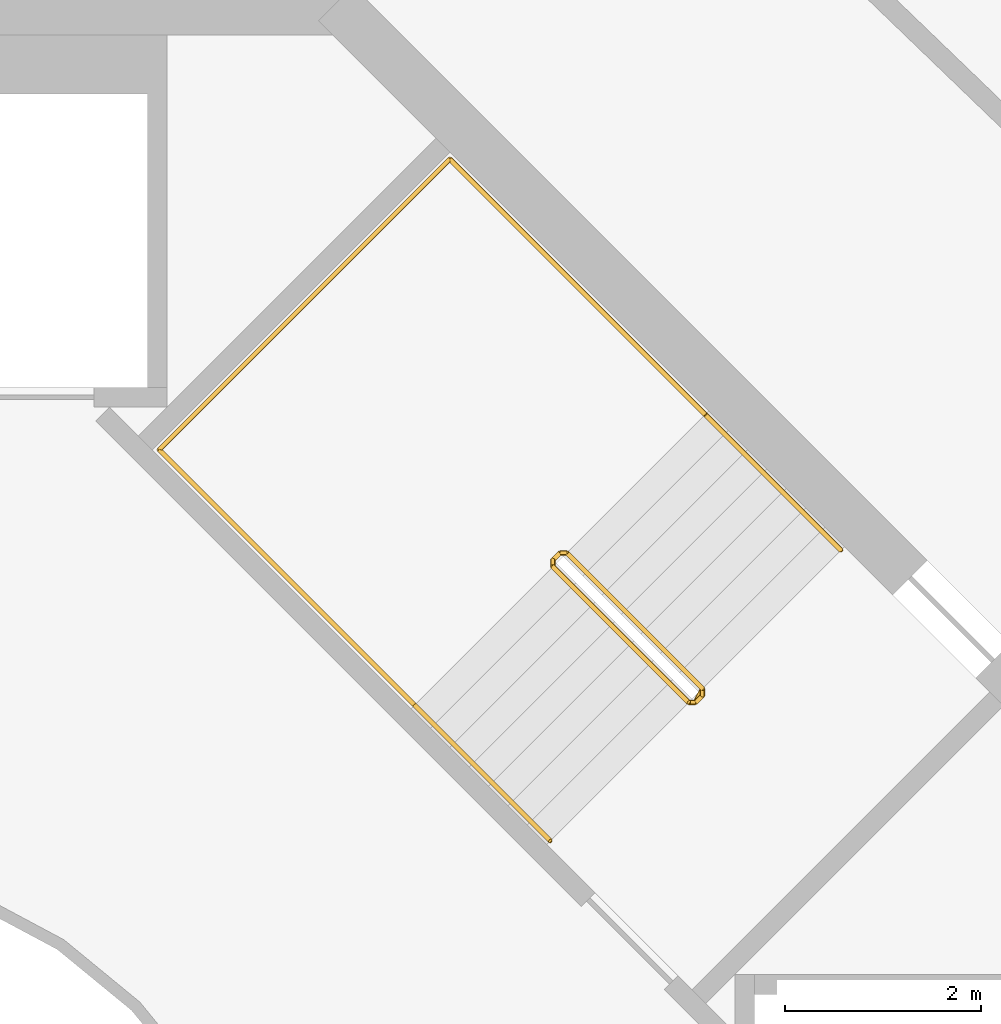
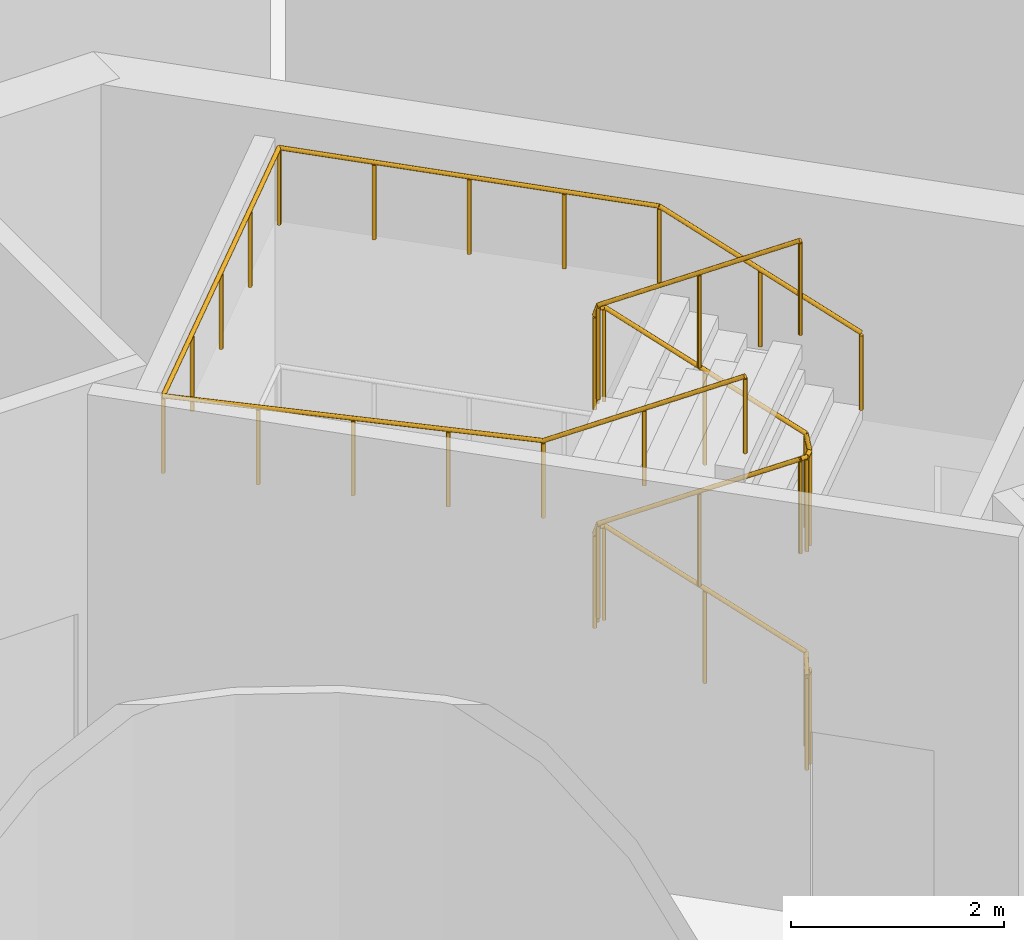
# One storey, part 17 of 17: 2 railings.
"""IFC4 building model written with IfcOpenShell, lengths in metres."""

from ifc_helpers import new_model, si_unit, direction, frame, origin, origin_2d, place, context, subcontext, project, spatial, circle, extrude, material, type_object, element, save


model = new_model("IFC4")

# Units and contexts
model_context = context("Model", 3, precision=1e-05, world=origin(), true_north=direction((0.0, 1.0)))
body_context = subcontext(model_context, "Body", "Model", "MODEL_VIEW")
ifc_project = project(units=[si_unit("LENGTHUNIT", "METRE"), si_unit("AREAUNIT", "SQUARE_METRE"), si_unit("VOLUMEUNIT", "CUBIC_METRE"), si_unit("PLANEANGLEUNIT", "RADIAN"), si_unit("MASSUNIT", "GRAM", prefix="KILO")], contexts=[model_context])

# Site, building, storey
site_placement = place(None, origin())
site = spatial("IfcSite", under=ifc_project, at=site_placement, CompositionType="ELEMENT")
building_placement = place(site_placement, origin())
building = spatial("IfcBuilding", under=site, at=building_placement, Name="Verdalira Terraces Hotel", CompositionType="ELEMENT")
storey_placement = place(building_placement, frame((0.0, 0.0, 222.0)))
storey = spatial("IfcBuildingStorey", under=building, at=storey_placement, Name="L54", CompositionType="ELEMENT", Elevation=222.0)

# Railings
ifc_material_1 = material(Name="Stainless steel", Category="steel")
railing_type_1 = type_object("IfcRailingType", Name="Stair guard 1100", PredefinedType="GUARDRAIL", material=ifc_material_1)
railing_1_placement = place(storey_placement, frame((9.369141, 6.75293, 0.0)))
element("IfcRailing", 1, at=railing_1_placement, inside=storey, type_object=railing_type_1, Name="L54 ST1 stair guard 1", PredefinedType="GUARDRAIL", context=body_context, shape_type="SweptSolid", body=[
    extrude(circle(Radius=0.023926, at=origin_2d()), frame((0.0, 0.0, 1.076172), z_axis=(-0.707106781, -0.707106781, 0.0), x_axis=(0.707106781, -0.707106781, 0.0)), (0.0, 0.0, 1.0), 0.100098),
    extrude(circle(Radius=0.023926, at=origin_2d()), frame((-0.070801, -0.070801, 1.076172), z_axis=(0.318519619, 0.635940894, 0.702939849), x_axis=(-0.894118129, 0.447831187, 0.0)), (0.0, 0.0, 1.0), 0.222168),
    extrude(circle(Radius=0.023926, at=origin_2d()), frame((0.0, 0.070557, 1.232422), z_axis=(-0.61747733, 0.61747733, 0.48728174), x_axis=(-0.707106781, -0.707106781, 0.0)), (0.0, 0.0, 1.0), 2.244629),
    extrude(circle(Radius=0.023926, at=origin_2d()), frame((-1.385986, 1.456543, 2.326172), z_axis=(-1.0, 0.0, 0.0), x_axis=(0.0, -1.0, 0.0)), (0.0, 0.0, 1.0), 0.070557),
    extrude(circle(Radius=0.023926, at=origin_2d()), frame((-1.456543, 1.456543, 2.326172), z_axis=(-0.70832698, -0.705884473, 0.0), x_axis=(0.705884473, -0.70832698, 0.0)), (0.0, 0.0, 1.0), 0.099854),
    extrude(circle(Radius=0.023926, at=origin_2d()), frame((-1.527344, 1.385986, 2.326172), z_axis=(0.0, -0.412730377, 0.910853246), x_axis=(1.0, 0.0, 0.0)), (0.0, 0.0, 1.0), 0.171631),
    extrude(circle(Radius=0.023926, at=origin_2d()), frame((-1.527344, 1.315186, 2.482422), z_axis=(0.61747733, -0.61747733, 0.48728174), x_axis=(0.707106781, 0.707106781, 0.0)), (0.0, 0.0, 1.0), 2.244629),
    extrude(circle(Radius=0.023926, at=origin_2d()), frame((-0.141357, -0.070801, 3.576172), z_axis=(1.0, 0.0, 0.0), x_axis=(0.0, 1.0, 0.0)), (0.0, 0.0, 1.0), 0.070557),
    extrude(circle(Radius=0.023926, at=origin_2d()), frame((-0.070801, -0.070801, 3.576172), z_axis=(0.707106781, 0.707106781, 0.0), x_axis=(-0.707106781, 0.707106781, 0.0)), (0.0, 0.0, 1.0), 0.100098),
    extrude(circle(Radius=0.023926, at=origin_2d()), frame((0.0, 0.0, 3.576172), z_axis=(0.0, 0.411548567, 0.91138783), x_axis=(-1.0, 0.0, 0.0)), (0.0, 0.0, 1.0), 0.171387),
    extrude(circle(Radius=0.023926, at=origin_2d()), frame((0.0, 0.070557, 3.732422), z_axis=(-0.61747733, 0.61747733, 0.48728174), x_axis=(-0.707106781, -0.707106781, 0.0)), (0.0, 0.0, 1.0), 2.244629),
    extrude(circle(Radius=0.023926, at=origin_2d()), frame((-1.385986, 1.456543, 4.826172), z_axis=(-1.0, 0.0, 0.0), x_axis=(0.0, -1.0, 0.0)), (0.0, 0.0, 1.0), 0.070557),
    extrude(circle(Radius=0.023926, at=origin_2d()), frame((-1.456543, 1.456543, 4.826172), z_axis=(-0.70832698, -0.705884473, 0.0), x_axis=(0.705884473, -0.70832698, 0.0)), (0.0, 0.0, 1.0), 0.099854),
    extrude(circle(Radius=0.023926, at=origin_2d()), frame((-1.527344, 1.385986, 4.826172), z_axis=(0.0, -0.412730377, 0.910853246), x_axis=(1.0, 0.0, 0.0)), (0.0, 0.0, 1.0), 0.171631),
    extrude(circle(Radius=0.023926, at=origin_2d()), frame((-1.527344, 1.315186, 4.982422), z_axis=(0.61747733, -0.61747733, 0.48728174), x_axis=(0.707106781, 0.707106781, 0.0)), (0.0, 0.0, 1.0), 2.244629),
    extrude(circle(Radius=0.020996, at=origin_2d()), origin(), (0.0, 0.0, 1.0), 1.052002),
    extrude(circle(Radius=0.020996, at=origin_2d()), frame((-0.070801, -0.070801, 0.0)), (0.0, 0.0, 1.0), 1.052002),
    extrude(circle(Radius=0.020996, at=origin_2d()), frame((0.0, 0.070557, 0.15625)), (0.0, 0.0, 1.0), 1.052002),
    extrude(circle(Radius=0.020996, at=origin_2d()), frame((-0.692871, 0.763672, 0.703125)), (0.0, 0.0, 1.0), 1.052002),
    extrude(circle(Radius=0.020996, at=origin_2d()), frame((-1.385986, 1.456543, 1.25)), (0.0, 0.0, 1.0), 1.052002),
    extrude(circle(Radius=0.020996, at=origin_2d()), frame((-1.456543, 1.456543, 1.25)), (0.0, 0.0, 1.0), 1.052002),
    extrude(circle(Radius=0.020996, at=origin_2d()), frame((-1.527344, 1.385986, 1.25)), (0.0, 0.0, 1.0), 1.052002),
    extrude(circle(Radius=0.020996, at=origin_2d()), frame((-1.527344, 1.315186, 1.40625)), (0.0, 0.0, 1.0), 1.052002),
    extrude(circle(Radius=0.020996, at=origin_2d()), frame((-0.834473, 0.62207, 1.953125)), (0.0, 0.0, 1.0), 1.052002),
    extrude(circle(Radius=0.020996, at=origin_2d()), frame((-0.141357, -0.070801, 2.5)), (0.0, 0.0, 1.0), 1.052002),
    extrude(circle(Radius=0.020996, at=origin_2d()), frame((-0.070801, -0.070801, 2.5)), (0.0, 0.0, 1.0), 1.052002),
    extrude(circle(Radius=0.020996, at=origin_2d()), frame((0.0, 0.0, 2.5)), (0.0, 0.0, 1.0), 1.052002),
    extrude(circle(Radius=0.020996, at=origin_2d()), frame((0.0, 0.070557, 2.65625)), (0.0, 0.0, 1.0), 1.052002),
    extrude(circle(Radius=0.020996, at=origin_2d()), frame((-0.692871, 0.763672, 3.203125)), (0.0, 0.0, 1.0), 1.052002),
    extrude(circle(Radius=0.020996, at=origin_2d()), frame((-1.385986, 1.456543, 3.75)), (0.0, 0.0, 1.0), 1.052002),
    extrude(circle(Radius=0.020996, at=origin_2d()), frame((-1.456543, 1.456543, 3.75)), (0.0, 0.0, 1.0), 1.052002),
    extrude(circle(Radius=0.020996, at=origin_2d()), frame((-1.527344, 1.385986, 3.75)), (0.0, 0.0, 1.0), 1.052002),
    extrude(circle(Radius=0.020996, at=origin_2d()), frame((-1.527344, 1.315186, 3.90625)), (0.0, 0.0, 1.0), 1.052002),
    extrude(circle(Radius=0.020996, at=origin_2d()), frame((-0.834473, 0.62207, 4.453125)), (0.0, 0.0, 1.0), 1.052002),
    extrude(circle(Radius=0.020996, at=origin_2d()), frame((-0.141357, -0.070801, 5.0)), (0.0, 0.0, 1.0), 1.052002),
])
ifc_material_2 = material(Name="Stainless steel", Category="steel")
railing_type_2 = type_object("IfcRailingType", Name="Stair handrail 900", PredefinedType="HANDRAIL", material=ifc_material_2)
railing_2_placement = place(storey_placement, frame((10.783447, 8.237793, 2.65625)))
element("IfcRailing", 2, at=railing_2_placement, inside=storey, type_object=railing_type_2, Name="L54 ST1 stair handrail 2", PredefinedType="HANDRAIL", context=body_context, shape_type="SweptSolid", body=[
    extrude(circle(Radius=0.023926, at=origin_2d()), frame((0.0, 0.0, 0.875977), z_axis=(-0.61747733, 0.61747733, 0.48728174), x_axis=(-0.707106781, -0.707106781, 0.0)), (0.0, 0.0, 1.0), 2.244629),
    extrude(circle(Radius=0.023926, at=origin_2d()), frame((-1.385986, 1.385986, 1.969727), z_axis=(-0.707106781, 0.707106781, 0.0), x_axis=(-0.707106781, -0.707106781, 0.0)), (0.0, 0.0, 1.0), 3.689941),
    extrude(circle(Radius=0.023926, at=origin_2d()), frame((-3.995117, 3.995117, 1.969727), z_axis=(-0.707135845, -0.707077716, 0.0), x_axis=(0.707077716, -0.707135845, 0.0)), (0.0, 0.0, 1.0), 4.199951),
    extrude(circle(Radius=0.023926, at=origin_2d()), frame((-6.965088, 1.025391, 1.969727), z_axis=(0.706440663, -0.706506766, 0.042305794), x_axis=(0.707139861, 0.707073699, 0.0)), (0.0, 0.0, 1.0), 3.693359),
    extrude(circle(Radius=0.023926, at=origin_2d()), frame((-4.355957, -1.583984, 2.125977), z_axis=(0.617518801, -0.617410026, 0.487314467), x_axis=(0.707044495, 0.707169062, 0.0)), (0.0, 0.0, 1.0), 2.244385),
    extrude(circle(Radius=0.020996, at=origin_2d()), origin(), (0.0, 0.0, 1.0), 0.851807),
    extrude(circle(Radius=0.020996, at=origin_2d()), frame((-0.692871, 0.692871, 0.546875)), (0.0, 0.0, 1.0), 0.851807),
    extrude(circle(Radius=0.020996, at=origin_2d()), frame((-1.385986, 1.385986, 1.09375)), (0.0, 0.0, 1.0), 0.851807),
    extrude(circle(Radius=0.020996, at=origin_2d()), frame((-2.03833, 2.03833, 1.09375)), (0.0, 0.0, 1.0), 0.851807),
    extrude(circle(Radius=0.020996, at=origin_2d()), frame((-2.69043, 2.69043, 1.09375)), (0.0, 0.0, 1.0), 0.851807),
    extrude(circle(Radius=0.020996, at=origin_2d()), frame((-3.342773, 3.342773, 1.09375)), (0.0, 0.0, 1.0), 0.851807),
    extrude(circle(Radius=0.020996, at=origin_2d()), frame((-3.995117, 3.995117, 1.09375)), (0.0, 0.0, 1.0), 0.851807),
    extrude(circle(Radius=0.020996, at=origin_2d()), frame((-4.737549, 3.252686, 1.09375)), (0.0, 0.0, 1.0), 0.851807),
    extrude(circle(Radius=0.020996, at=origin_2d()), frame((-5.47998, 2.510254, 1.09375)), (0.0, 0.0, 1.0), 0.851807),
    extrude(circle(Radius=0.020996, at=origin_2d()), frame((-6.222656, 1.767822, 1.09375)), (0.0, 0.0, 1.0), 0.851807),
    extrude(circle(Radius=0.020996, at=origin_2d()), frame((-6.965088, 1.025391, 1.09375)), (0.0, 0.0, 1.0), 0.851807),
    extrude(circle(Radius=0.020996, at=origin_2d()), frame((-6.312744, 0.373047, 1.132812)), (0.0, 0.0, 1.0), 0.851807),
    extrude(circle(Radius=0.020996, at=origin_2d()), frame((-5.660645, -0.279297, 1.171875)), (0.0, 0.0, 1.0), 0.851807),
    extrude(circle(Radius=0.020996, at=origin_2d()), frame((-5.008301, -0.931641, 1.210938)), (0.0, 0.0, 1.0), 0.851807),
    extrude(circle(Radius=0.020996, at=origin_2d()), frame((-4.355957, -1.583984, 1.25)), (0.0, 0.0, 1.0), 0.851807),
    extrude(circle(Radius=0.020996, at=origin_2d()), frame((-3.663086, -2.276855, 1.796875)), (0.0, 0.0, 1.0), 0.851807),
    extrude(circle(Radius=0.020996, at=origin_2d()), frame((-2.969971, -2.969727, 2.34375)), (0.0, 0.0, 1.0), 0.851807),
])

save(model, "model.ifc")
